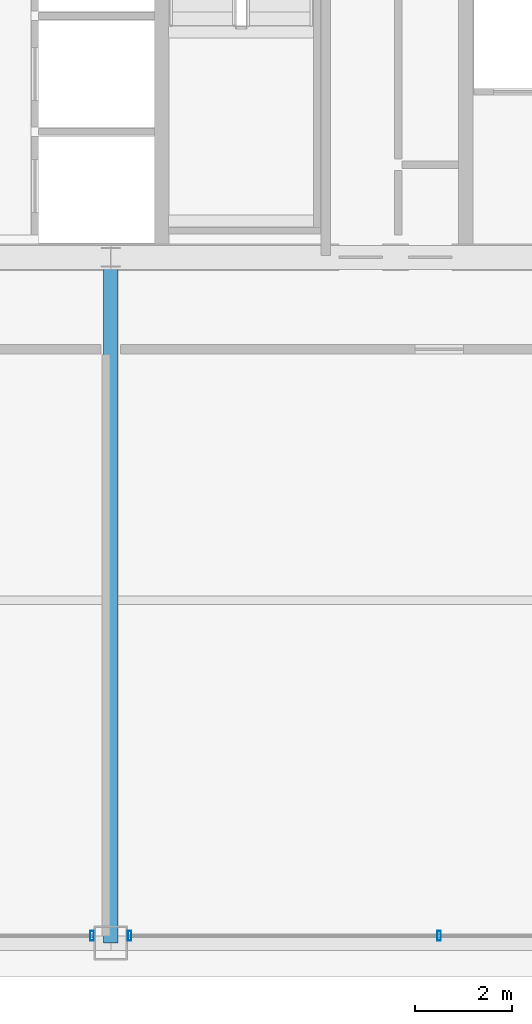
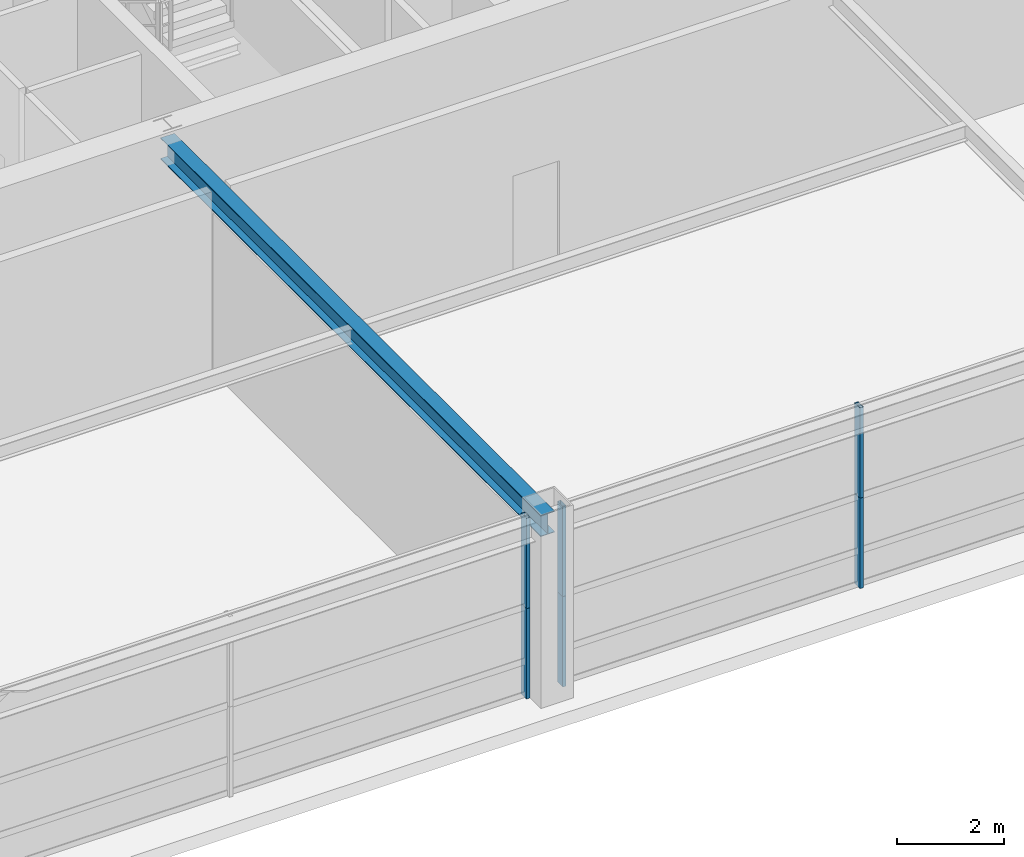
# One storey, part 8 of 26: 6 members, 1 beam, 2 elements without a shape of their own.
"""IFC4 building model written with IfcOpenShell, lengths in metres."""

from ifc_helpers import new_model, si_unit, direction, frame, origin, origin_2d, place, context, subcontext, project, spatial, hollow_rectangle, i_section, extrude, source, transform, mapped, material, layer, layer_set, material_profile, profile_set, type_object, element, aggregate, save


model = new_model("IFC4")

# Units and contexts
model_context = context("Model", 3, precision=1e-05, world=origin(), true_north=direction((0.0, 1.0)))
body_context = subcontext(model_context, "Body", "Model", "MODEL_VIEW")
ifc_project = project(units=[si_unit("LENGTHUNIT", "METRE"), si_unit("AREAUNIT", "SQUARE_METRE"), si_unit("VOLUMEUNIT", "CUBIC_METRE"), si_unit("PLANEANGLEUNIT", "RADIAN"), si_unit("MASSUNIT", "GRAM", prefix="KILO"), si_unit("THERMODYNAMICTEMPERATUREUNIT", "KELVIN"), si_unit("POWERUNIT", "WATT")], contexts=[model_context])

# Site, building, storey
site_placement = place(None, origin())
site = spatial("IfcSite", under=ifc_project, at=site_placement, CompositionType="ELEMENT")
building_placement = place(site_placement, origin())
building = spatial("IfcBuilding", under=site, at=building_placement, Name="Yuzanri Waterfront Tower", CompositionType="ELEMENT")
storey_placement = place(building_placement, frame((0.0, 0.0, 259.10009765625)))
storey = spatial("IfcBuildingStorey", under=building, at=storey_placement, Name="L69", CompositionType="ELEMENT", Elevation=259.10009765625)

# Beam
ifc_material_1 = material(Name="Steel Q355B", Category="steel")
ifc_material_profile_1 = material_profile(ifc_material_1, i_section(OverallWidth=0.300048828125, OverallDepth=0.488037109375, WebThickness=0.010986328125, FlangeThickness=0.01806640625, at=origin_2d()), Name="HM 488x300x11x18")
ifc_profile_set_1 = profile_set([ifc_material_profile_1], Name="Steel Q355B")
beam_type = type_object("IfcBeamType", Name="Primary Floor Girder Q355B HM 488x300", PredefinedType="BEAM", material=ifc_profile_set_1)
shared_shape_1 = source(origin(), body_context, "Body", "SweptSolid", [
    extrude(i_section(OverallWidth=0.300048828125, OverallDepth=0.488037109375, WebThickness=0.010986328125, FlangeThickness=0.01806640625, at=origin_2d()), origin(), (0.0, 0.0, 1.0), 14.199951171875),
])
beam_placement = place(storey_placement, frame((37.0, 19.39990234375, 3.8759765625), z_axis=(0.0, -1.0, 0.0), x_axis=(1.0, 0.0, 0.0)))
element("IfcBeam", 1, at=beam_placement, inside=storey, type_object=beam_type, Name="L69 South Grid Girder", PredefinedType="BEAM", context=body_context, shape_type="MappedRepresentation", body=[
    mapped(shared_shape_1, transform((0.0, 0.0, 0.0), scale=1.0)),
])

# Curtain wall, members
ifc_material_2 = material(Name="Anodized Architectural Bronze", Category="metal")
ifc_layer = layer(ifc_material_2, 0.159912109375)
ifc_layer_set = layer_set([ifc_layer], Name="Anodized Architectural Bronze")
curtain_wall_type = type_object("IfcCurtainWallType", Name="Anodized Bronze Sky-Lobby Triple-Glazed Feature Curtain Wall 7500", PredefinedType="NOTDEFINED", material=ifc_layer_set)
curtain_wall_1_placement = place(storey_placement, origin())
curtain_wall_1 = element("IfcCurtainWall", 2, at=curtain_wall_1_placement, inside=storey, type_object=curtain_wall_type, Name="L69 Curtain Wall CW-L69-SL", PredefinedType="NOTDEFINED")
ifc_material_3 = material(Name="Anodized Architectural Bronze", Category="metal")
ifc_material_profile_2 = material_profile(ifc_material_3, hollow_rectangle(XDim=0.074951171875, YDim=0.199951171875, WallThickness=0.00390625, at=origin_2d()), Name="CWM 75x200")
ifc_profile_set_2 = profile_set([ifc_material_profile_2], Name="Anodized Architectural Bronze")
member_type = type_object("IfcMemberType", Name="Anodized Bronze Primary Curtain-Wall Mullion 75x200", PredefinedType="MULLION", material=ifc_profile_set_2)
shared_shape_2 = source(origin(), body_context, "Body", "SweptSolid", [
    extrude(hollow_rectangle(XDim=0.074951171875, YDim=0.199951171875, WallThickness=0.00390625, at=origin_2d()), origin(), (0.0, 0.0, 1.0), 2.057861328125),
])
member_1_placement = place(storey_placement, frame((36.610107421875, 5.35009765625, 0.0), z_axis=(0.0, 0.0, 1.0), x_axis=(1.0, 0.0, 0.0)))
member_1 = element("IfcMember", 3, at=member_1_placement, type_object=member_type, Name="CW-L69-SL Lower Mullion 02", PredefinedType="MULLION", context=body_context, shape_type="MappedRepresentation", body=[
    mapped(shared_shape_2, transform((0.0, 0.0, 0.0), scale=1.0)),
])
member_2_placement = place(storey_placement, frame((36.610107421875, 5.35009765625, 2.06201171875), z_axis=(0.0, 0.0, 1.0), x_axis=(1.0, 0.0, 0.0)))
member_2 = element("IfcMember", 4, at=member_2_placement, type_object=member_type, Name="CW-L69-SL Upper Mullion 02", PredefinedType="MULLION", context=body_context, shape_type="MappedRepresentation", body=[
    mapped(shared_shape_2, transform((0.0, 0.0, 0.0), scale=1.0)),
])
aggregate(curtain_wall_1, [member_1, member_2])

curtain_wall_2_placement = place(storey_placement, origin())
curtain_wall_2 = element("IfcCurtainWall", 5, at=curtain_wall_2_placement, inside=storey, type_object=curtain_wall_type, Name="L69 Curtain Wall CW-L69-SR", PredefinedType="NOTDEFINED")
member_3_placement = place(storey_placement, frame((37.389892578125, 5.35009765625, 0.0), z_axis=(0.0, 0.0, 1.0), x_axis=(1.0, 0.0, 0.0)))
member_3 = element("IfcMember", 6, at=member_3_placement, type_object=member_type, Name="CW-L69-SR Lower Mullion 00", PredefinedType="MULLION", context=body_context, shape_type="MappedRepresentation", body=[
    mapped(shared_shape_2, transform((0.0, 0.0, 0.0), scale=1.0)),
])
member_4_placement = place(storey_placement, frame((37.389892578125, 5.35009765625, 2.06201171875), z_axis=(0.0, 0.0, 1.0), x_axis=(1.0, 0.0, 0.0)))
member_4 = element("IfcMember", 7, at=member_4_placement, type_object=member_type, Name="CW-L69-SR Upper Mullion 00", PredefinedType="MULLION", context=body_context, shape_type="MappedRepresentation", body=[
    mapped(shared_shape_2, transform((0.0, 0.0, 0.0), scale=1.0)),
])
member_5_placement = place(storey_placement, frame((43.800048828125, 5.35009765625, 0.0), z_axis=(0.0, 0.0, 1.0), x_axis=(1.0, 0.0, 0.0)))
member_5 = element("IfcMember", 8, at=member_5_placement, type_object=member_type, Name="CW-L69-SR Lower Mullion 01", PredefinedType="MULLION", context=body_context, shape_type="MappedRepresentation", body=[
    mapped(shared_shape_2, transform((0.0, 0.0, 0.0), scale=1.0)),
])
member_6_placement = place(storey_placement, frame((43.800048828125, 5.35009765625, 2.06201171875), z_axis=(0.0, 0.0, 1.0), x_axis=(1.0, 0.0, 0.0)))
member_6 = element("IfcMember", 9, at=member_6_placement, type_object=member_type, Name="CW-L69-SR Upper Mullion 01", PredefinedType="MULLION", context=body_context, shape_type="MappedRepresentation", body=[
    mapped(shared_shape_2, transform((0.0, 0.0, 0.0), scale=1.0)),
])
aggregate(curtain_wall_2, [member_3, member_4, member_5, member_6])

save(model, "model.ifc")
